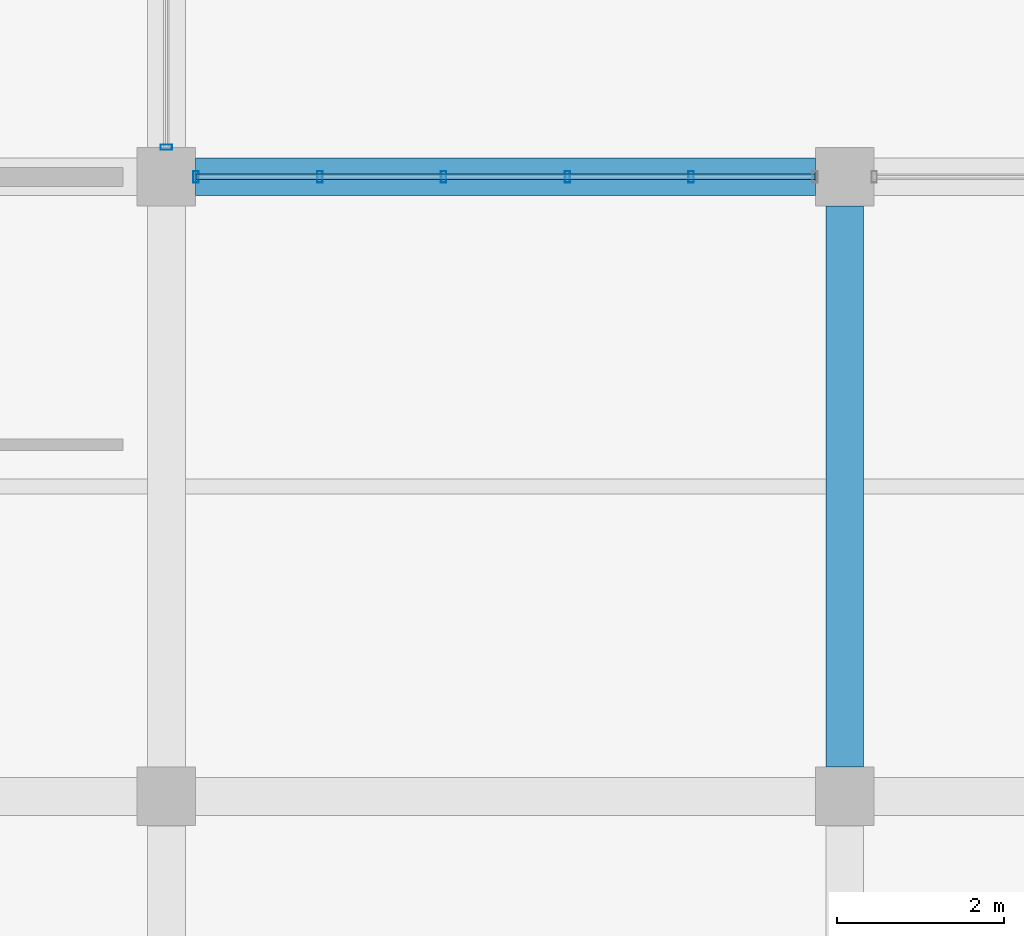
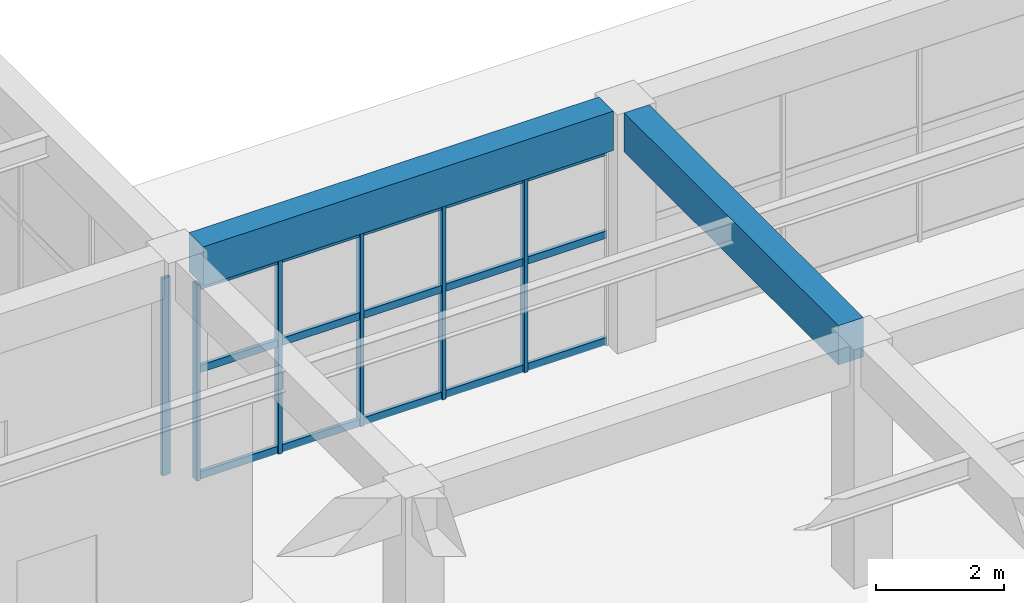
# One storey, part 22 of 161: 9 members, 2 beams, 2 elements without a shape of their own.
"""IFC4 building model written with IfcOpenShell, lengths in metres."""

import ifcopenshell
import ifcopenshell.guid

model = None  # the IFC model being written
_history = None  # IfcOwnerHistory: only IFC2X3 demands one
_inside = {}  # id of a spatial element -> (the spatial element, [elements in it])
_under = {}  # id of a project, library or spatial element -> (it, [spatial elements below it])
_declared = {}  # id of a project -> (the project, [libraries it declares])
_typed = {}  # id of a type object -> (the type object, [elements of that type])
_made_of = {}  # id of a material, layer set ... -> (it, [elements and type objects made of it])


def new_model(schema):
    """Start an empty IFC model of exactly this schema.

    Asked for "IFC4X3", IfcOpenShell would pick the latest addendum, in which some entities
    have other attributes; the version numbers below select the first issue.
    IFC2X3 requires an IfcOwnerHistory on every rooted entity: one is made here for all.
    """
    global model, _history
    if schema == "IFC4X3":
        model = ifcopenshell.file(schema_version=(4, 3, 0, 0))
    else:
        model = ifcopenshell.file(schema=schema)
    _inside.clear()
    _under.clear()
    _declared.clear()
    _typed.clear()
    _made_of.clear()
    _history = None
    if model.schema == "IFC2X3":
        org = make("IfcOrganization", Name="unknown")
        user = make(
            "IfcPersonAndOrganization",
            ThePerson=make("IfcPerson", FamilyName="unknown"),
            TheOrganization=org,
        )
        app = make(
            "IfcApplication",
            ApplicationDeveloper=org,
            Version="unknown",
            ApplicationFullName="unknown",
            ApplicationIdentifier="unknown",
        )
        _history = make(
            "IfcOwnerHistory",
            OwningUser=user,
            OwningApplication=app,
            ChangeAction="ADDED",
            CreationDate=0,
        )
    return model


def make(cls, **values):
    """One entity of the class cls with the attributes given. An attribute that is None is left unset."""
    return model.create_entity(
        cls, **{name: value for name, value in values.items() if value is not None}
    )


def rooted(cls, **values):
    """An entity with a GlobalId (a new one), such as an element, a storey or a relation."""
    return make(cls, GlobalId=ifcopenshell.guid.new(), OwnerHistory=_history, **values)


def si_unit(unit_type, name, prefix=None):
    """IfcSIUnit, for example si_unit("LENGTHUNIT", "METRE", prefix="MILLI")."""
    return make("IfcSIUnit", UnitType=unit_type, Prefix=prefix, Name=name)


def assignment(units):
    """IfcUnitAssignment: the units of a project."""
    return None if units is None else make("IfcUnitAssignment", Units=units)


def point(xyz):
    """IfcCartesianPoint."""
    return None if xyz is None else make("IfcCartesianPoint", Coordinates=xyz)


def direction(xyz):
    """IfcDirection."""
    return None if xyz is None else make("IfcDirection", DirectionRatios=xyz)


def frame(location, z_axis=None, x_axis=None):
    """IfcAxis2Placement3D, a coordinate frame: its origin and axes. An axis left out is left unset."""
    return make(
        "IfcAxis2Placement3D",
        Location=point(location),
        Axis=direction(z_axis),
        RefDirection=direction(x_axis),
    )


def frame_2d(location, x_axis=None):
    """IfcAxis2Placement2D, a coordinate frame in the plane: its origin and x axis."""
    return make(
        "IfcAxis2Placement2D", Location=point(location), RefDirection=direction(x_axis)
    )


def origin():
    """The frame at (0, 0, 0) with its axes left unset."""
    return frame((0.0, 0.0, 0.0))


def origin_2d():
    """The frame at (0, 0) in the plane with its x axis left unset."""
    return frame_2d((0.0, 0.0))


def place(relative_to, where):
    """IfcLocalPlacement: puts the frame where relative to a parent placement (None: the world)."""
    return make(
        "IfcLocalPlacement", PlacementRelTo=relative_to, RelativePlacement=where
    )


def context(
    kind, dimensions, precision=None, world=None, true_north=None, identifier=None
):
    """IfcGeometricRepresentationContext, for example the 3D "Model" context."""
    return make(
        "IfcGeometricRepresentationContext",
        ContextIdentifier=identifier,
        ContextType=kind,
        CoordinateSpaceDimension=dimensions,
        Precision=precision,
        WorldCoordinateSystem=world,
        TrueNorth=true_north,
    )


def subcontext(parent, identifier, kind, view, scale=None):
    """IfcGeometricRepresentationSubContext, for example "Body" below "Model"."""
    return make(
        "IfcGeometricRepresentationSubContext",
        ContextIdentifier=identifier,
        ContextType=kind,
        ParentContext=parent,
        TargetScale=scale,
        TargetView=view,
    )


def project(units=None, contexts=None):
    """IfcProject with its units and contexts."""
    return rooted(
        "IfcProject",
        Name="project",
        RepresentationContexts=contexts,
        UnitsInContext=assignment(units),
    )


def spatial(cls, under=None, at=None, **own):
    """A site, building, storey or space (cls), placed at a placement, below another one or the project."""
    s = rooted(cls, ObjectPlacement=at, **own)
    if under is not None:
        _under.setdefault(under.id(), (under, []))[1].append(s)
    return s


def profile(cls, at=None, kind="AREA", **sizes):
    """A parametric profile (cls). Its sizes go by their IFC names, for example OverallWidth=200.0."""
    return make(cls, ProfileType=kind, Position=at, **sizes)


def rectangle(**sizes):
    """IfcRectangleProfileDef."""
    return profile("IfcRectangleProfileDef", **sizes)


def hollow_rectangle(**sizes):
    """IfcRectangleHollowProfileDef."""
    return profile("IfcRectangleHollowProfileDef", **sizes)


def extrude(swept, where, along, depth):
    """IfcExtrudedAreaSolid: the profile swept, set in the frame where, extruded along a direction by depth."""
    return make(
        "IfcExtrudedAreaSolid",
        SweptArea=swept,
        Position=where,
        ExtrudedDirection=direction(along),
        Depth=depth,
    )


def shape(context_of_items, identifier, shape_type, items):
    """IfcShapeRepresentation: the items that make up one representation, for example the "Body"."""
    return make(
        "IfcShapeRepresentation",
        ContextOfItems=context_of_items,
        RepresentationIdentifier=identifier,
        RepresentationType=shape_type,
        Items=items,
    )


def material(Name=None, Category=None):
    """IfcMaterial."""
    return make("IfcMaterial", Name=Name, Category=Category)


def material_profile(
    of_material, cross_section, Name=None, Category=None, Priority=None
):
    """IfcMaterialProfile: a cross section and its material."""
    return make(
        "IfcMaterialProfile",
        Name=Name,
        Material=of_material,
        Profile=cross_section,
        Priority=Priority,
        Category=Category,
    )


def profile_set(profiles, Name=None, composite=None):
    """IfcMaterialProfileSet."""
    return make(
        "IfcMaterialProfileSet",
        Name=Name,
        MaterialProfiles=profiles,
        CompositeProfile=composite,
    )


def made_of(thing, what):
    """Note that an element or type object is made of a material, layer set ...; save() writes the relation."""
    if what is not None:
        _made_of.setdefault(what.id(), (what, []))[1].append(thing)
    return thing


def type_object(cls, material=None, **own):
    """A type object (cls), such as IfcWallType, which elements share."""
    return made_of(rooted(cls, **own), material)


def element(
    cls,
    number,
    at=None,
    inside=None,
    cuts=None,
    type_object=None,
    material=None,
    context=None,
    identifier="Body",
    shape_type=None,
    held_by="IfcProductDefinitionShape",
    body=None,
    shapes=None,
    **own,
):
    """One element of the class cls, such as IfcWall. Its Tag is "e" and its number.

    at: its placement. inside: the storey or other place that contains it. cuts: it is an
    opening in that element (IfcRelVoidsElement). A single representation is given by context,
    identifier, shape_type and body (its items); several are given by shapes. held_by: the class
    of the entity that holds the representations. save() writes the other relations.
    """
    e = rooted(cls, Tag="e%d" % number, ObjectPlacement=at, **own)
    if body is not None:
        shapes = [shape(context, identifier, shape_type, body)]
    if shapes is not None:
        e.Representation = make(held_by, Representations=shapes)
    if inside is not None:
        _inside.setdefault(inside.id(), (inside, []))[1].append(e)
    if cuts is not None:
        rooted(
            "IfcRelVoidsElement", RelatingBuildingElement=cuts, RelatedOpeningElement=e
        )
    if type_object is not None:
        _typed.setdefault(type_object.id(), (type_object, []))[1].append(e)
    return made_of(e, material)


def aggregate(whole, parts):
    """IfcRelAggregates: a whole, such as a stair, and the parts it consists of."""
    return rooted("IfcRelAggregates", RelatingObject=whole, RelatedObjects=parts)


def save(model, path):
    """Write the relations noted so far, then the file.

    IfcRelAggregates (storeys below a building ...), IfcRelContainedInSpatialStructure (elements
    in a storey), IfcRelDefinesByType, IfcRelAssociatesMaterial and IfcRelDeclares: one each for
    every whole, place, type object, material and project.
    """
    for whole, parts in _under.values():
        aggregate(whole, parts)
    for where, things in _inside.values():
        rooted(
            "IfcRelContainedInSpatialStructure",
            RelatedElements=things,
            RelatingStructure=where,
        )
    for kind, things in _typed.values():
        rooted("IfcRelDefinesByType", RelatedObjects=things, RelatingType=kind)
    for what, things in _made_of.values():
        rooted("IfcRelAssociatesMaterial", RelatedObjects=things, RelatingMaterial=what)
    for by, libraries in _declared.values():
        rooted("IfcRelDeclares", RelatingContext=by, RelatedDefinitions=libraries)
    model.write(path)


model = new_model("IFC4")

# Units and contexts
model_context = context("Model", 3, precision=1e-05, world=origin(), true_north=direction((0.0, 1.0)))
body_context = subcontext(model_context, "Body", "Model", "MODEL_VIEW")
ifc_project = project(units=[si_unit("LENGTHUNIT", "METRE"), si_unit("AREAUNIT", "SQUARE_METRE"), si_unit("VOLUMEUNIT", "CUBIC_METRE"), si_unit("PLANEANGLEUNIT", "RADIAN"), si_unit("MASSUNIT", "GRAM", prefix="KILO")], contexts=[model_context])

# Site, building, storey
site_placement = place(None, origin())
site = spatial("IfcSite", under=ifc_project, at=site_placement, CompositionType="ELEMENT")
building_placement = place(site_placement, origin())
building = spatial("IfcBuilding", under=site, at=building_placement, Name="Cimatlan Art Gallery", CompositionType="ELEMENT")
storey_placement = place(building_placement, frame((0.0, 0.0, 5.39990234375)))
storey = spatial("IfcBuildingStorey", under=building, at=storey_placement, Name="L01", CompositionType="ELEMENT", Elevation=5.39990234375)

# Beams
ifc_material_1 = material(Name="Concrete C40/50", Category="concrete")
ifc_material_profile_1 = material_profile(ifc_material_1, rectangle(XDim=0.449951171875, YDim=0.75, at=origin_2d()), Name="RC450X750")
ifc_profile_set_1 = profile_set([ifc_material_profile_1], Name="Concrete C40/50")
beam_type = type_object("IfcBeamType", Name="BM-RC-450X750", PredefinedType="BEAM", material=ifc_profile_set_1)
beam_1_placement = place(storey_placement, frame((58.699951171875, 31.64990234375, 4.18505859375), z_axis=(0.0, 1.0, 0.0), x_axis=(-1.0, 0.0, 0.0)))
element("IfcBeam", 1, at=beam_1_placement, inside=storey, type_object=beam_type, Name="BM-Y-L01-07-04", PredefinedType="BEAM", context=body_context, shape_type="SweptSolid", body=[
    extrude(rectangle(XDim=0.449951171875, YDim=0.75, at=origin_2d()), origin(), (0.0, 0.0, 1.0), 6.7001953125),
])
beam_2_placement = place(storey_placement, frame((50.949951171875, 38.699951171875, 4.18505859375), z_axis=(1.0, 0.0, 0.0), x_axis=(0.0, 1.0, 0.0)))
element("IfcBeam", 2, at=beam_2_placement, inside=storey, type_object=beam_type, Name="BM-X-L01-06-05", PredefinedType="BEAM", context=body_context, shape_type="SweptSolid", body=[
    extrude(rectangle(XDim=0.449951171875, YDim=0.75, at=origin_2d()), origin(), (0.0, 0.0, 1.0), 7.400146484375),
])

# Curtain wall, member
ifc_material_2 = material(Name="Anodised bronze unitised curtain wall")
curtain_wall_type_1 = type_object("IfcCurtainWallType", Name="CW-V-06692X03765-B3", PredefinedType="NOTDEFINED", material=ifc_material_2)
curtain_wall_1_placement = place(storey_placement, origin())
curtain_wall_1 = element("IfcCurtainWall", 3, at=curtain_wall_1_placement, inside=storey, type_object=curtain_wall_type_1, Name="CW-L01-05-05-E", PredefinedType="NOTDEFINED")
ifc_material_3 = material(Name="Anodised bronze aluminium 6063-T6", Category="aluminium")
ifc_material_profile_2 = material_profile(ifc_material_3, hollow_rectangle(XDim=0.06494140625, YDim=0.139892578125, WallThickness=0.00390625, at=origin_2d()), Name="ALU65X140X4")
ifc_profile_set_2 = profile_set([ifc_material_profile_2], Name="Anodised bronze aluminium 6063-T6")
member_type_1 = type_object("IfcMemberType", Name="CW-MUL-140", PredefinedType="MULLION", material=ifc_profile_set_2)
member_1_placement = place(storey_placement, frame((50.60009765625, 39.053955078125, 0.0), z_axis=(0.0, 0.0, 1.0), x_axis=(0.0, 1.0, 0.0)))
member_1 = element("IfcMember", 4, at=member_1_placement, type_object=member_type_1, Name="CW-L01-05-05-E-M4", PredefinedType="MULLION", context=body_context, shape_type="SweptSolid", body=[
    extrude(hollow_rectangle(XDim=0.06494140625, YDim=0.139892578125, WallThickness=0.00390625, at=origin_2d()), origin(), (0.0, 0.0, 1.0), 3.76513671875),
])
aggregate(curtain_wall_1, [member_1])

# Curtain wall, members
curtain_wall_type_2 = type_object("IfcCurtainWallType", Name="CW-V-07392X03735-B5", PredefinedType="NOTDEFINED", material=ifc_material_2)
curtain_wall_2_placement = place(storey_placement, origin())
curtain_wall_2 = element("IfcCurtainWall", 5, at=curtain_wall_2_placement, inside=storey, type_object=curtain_wall_type_2, Name="CW-L01-06-04-N", PredefinedType="NOTDEFINED")
member_2_placement = place(storey_placement, frame((50.9541015625, 38.699951171875, 0.0), z_axis=(0.0, 0.0, 1.0), x_axis=(1.0, 0.0, 0.0)))
member_2 = element("IfcMember", 6, at=member_2_placement, type_object=member_type_1, Name="CW-L01-06-04-N-M1", PredefinedType="MULLION", context=body_context, shape_type="SweptSolid", body=[
    extrude(hollow_rectangle(XDim=0.06494140625, YDim=0.139892578125, WallThickness=0.00390625, at=origin_2d()), origin(), (0.0, 0.0, 1.0), 3.735107421875),
])
member_3_placement = place(storey_placement, frame((52.432373046875, 38.699951171875, 0.0), z_axis=(0.0, 0.0, 1.0), x_axis=(1.0, 0.0, 0.0)))
member_3 = element("IfcMember", 7, at=member_3_placement, type_object=member_type_1, Name="CW-L01-06-04-N-M2", PredefinedType="MULLION", context=body_context, shape_type="SweptSolid", body=[
    extrude(hollow_rectangle(XDim=0.06494140625, YDim=0.139892578125, WallThickness=0.00390625, at=origin_2d()), origin(), (0.0, 0.0, 1.0), 3.735107421875),
])
member_4_placement = place(storey_placement, frame((53.910888671875, 38.699951171875, 0.0), z_axis=(0.0, 0.0, 1.0), x_axis=(1.0, 0.0, 0.0)))
member_4 = element("IfcMember", 8, at=member_4_placement, type_object=member_type_1, Name="CW-L01-06-04-N-M3", PredefinedType="MULLION", context=body_context, shape_type="SweptSolid", body=[
    extrude(hollow_rectangle(XDim=0.06494140625, YDim=0.139892578125, WallThickness=0.00390625, at=origin_2d()), origin(), (0.0, 0.0, 1.0), 3.735107421875),
])
member_5_placement = place(storey_placement, frame((55.38916015625, 38.699951171875, 0.0), z_axis=(0.0, 0.0, 1.0), x_axis=(1.0, 0.0, 0.0)))
member_5 = element("IfcMember", 9, at=member_5_placement, type_object=member_type_1, Name="CW-L01-06-04-N-M4", PredefinedType="MULLION", context=body_context, shape_type="SweptSolid", body=[
    extrude(hollow_rectangle(XDim=0.06494140625, YDim=0.139892578125, WallThickness=0.00390625, at=origin_2d()), origin(), (0.0, 0.0, 1.0), 3.735107421875),
])
member_6_placement = place(storey_placement, frame((56.86767578125, 38.699951171875, 0.0), z_axis=(0.0, 0.0, 1.0), x_axis=(1.0, 0.0, 0.0)))
member_6 = element("IfcMember", 10, at=member_6_placement, type_object=member_type_1, Name="CW-L01-06-04-N-M5", PredefinedType="MULLION", context=body_context, shape_type="SweptSolid", body=[
    extrude(hollow_rectangle(XDim=0.06494140625, YDim=0.139892578125, WallThickness=0.00390625, at=origin_2d()), origin(), (0.0, 0.0, 1.0), 3.735107421875),
])
ifc_material_profile_3 = material_profile(ifc_material_3, hollow_rectangle(XDim=0.06494140625, YDim=0.139892578125, WallThickness=0.00390625, at=origin_2d()), Name="ALU65X140X4")
ifc_profile_set_3 = profile_set([ifc_material_profile_3], Name="Anodised bronze aluminium 6063-T6")
member_type_2 = type_object("IfcMemberType", Name="CW-TRN-140", PredefinedType="USERDEFINED", material=ifc_profile_set_3)
member_7_placement = place(storey_placement, frame((50.9541015625, 38.699951171875, 0.06005859375), z_axis=(1.0, 0.0, 0.0), x_axis=(0.0, 1.0, 0.0)))
member_7 = element("IfcMember", 11, at=member_7_placement, type_object=member_type_2, Name="CW-L01-06-04-N-T1", ObjectType="TRANSOM", PredefinedType="USERDEFINED", context=body_context, shape_type="SweptSolid", body=[
    extrude(hollow_rectangle(XDim=0.06494140625, YDim=0.139892578125, WallThickness=0.00390625, at=origin_2d()), origin(), (0.0, 0.0, 1.0), 7.391845703125),
])
member_8_placement = place(storey_placement, frame((50.9541015625, 38.699951171875, 2.091796875), z_axis=(1.0, 0.0, 0.0), x_axis=(0.0, 1.0, 0.0)))
member_8 = element("IfcMember", 12, at=member_8_placement, type_object=member_type_2, Name="CW-L01-06-04-N-T2", ObjectType="TRANSOM", PredefinedType="USERDEFINED", context=body_context, shape_type="SweptSolid", body=[
    extrude(hollow_rectangle(XDim=0.06494140625, YDim=0.139892578125, WallThickness=0.00390625, at=origin_2d()), origin(), (0.0, 0.0, 1.0), 7.391845703125),
])
member_9_placement = place(storey_placement, frame((50.9541015625, 38.699951171875, 3.675048828125), z_axis=(1.0, 0.0, 0.0), x_axis=(0.0, 1.0, 0.0)))
member_9 = element("IfcMember", 13, at=member_9_placement, type_object=member_type_2, Name="CW-L01-06-04-N-T3", ObjectType="TRANSOM", PredefinedType="USERDEFINED", context=body_context, shape_type="SweptSolid", body=[
    extrude(hollow_rectangle(XDim=0.06494140625, YDim=0.139892578125, WallThickness=0.00390625, at=origin_2d()), origin(), (0.0, 0.0, 1.0), 7.391845703125),
])
aggregate(curtain_wall_2, [member_2, member_3, member_4, member_5, member_6, member_7, member_8, member_9])

save(model, "model.ifc")
